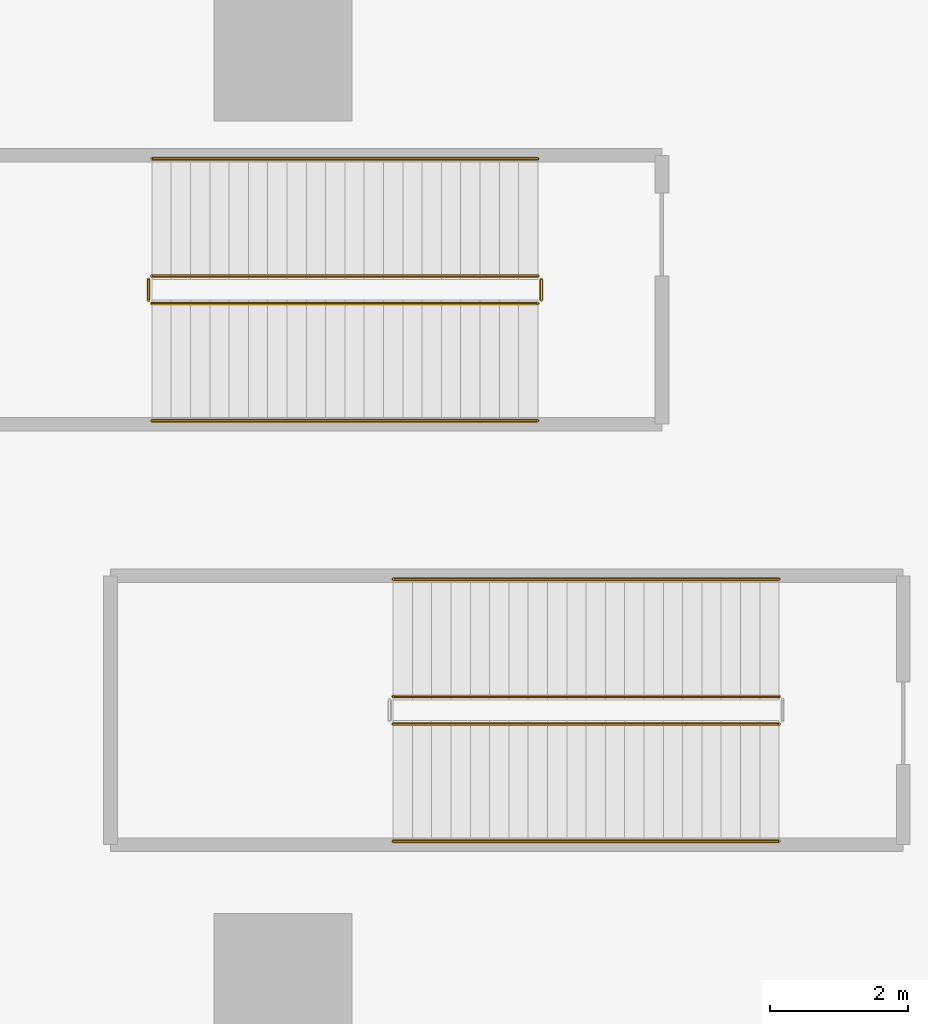
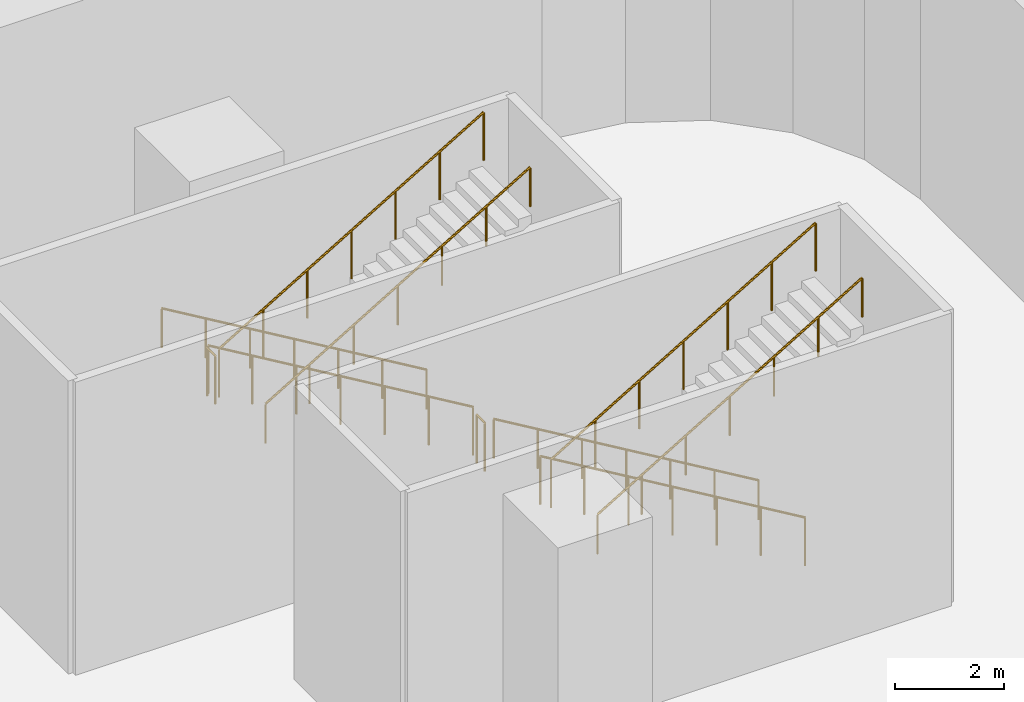
# One storey, part 28 of 30: 10 railings.
"""IFC4 building model written with IfcOpenShell, lengths in metres."""

import ifcopenshell
import ifcopenshell.guid

model = None  # the IFC model being written
_history = None  # IfcOwnerHistory: only IFC2X3 demands one
_inside = {}  # id of a spatial element -> (the spatial element, [elements in it])
_under = {}  # id of a project, library or spatial element -> (it, [spatial elements below it])
_declared = {}  # id of a project -> (the project, [libraries it declares])
_typed = {}  # id of a type object -> (the type object, [elements of that type])
_made_of = {}  # id of a material, layer set ... -> (it, [elements and type objects made of it])


def new_model(schema):
    """Start an empty IFC model of exactly this schema.

    Asked for "IFC4X3", IfcOpenShell would pick the latest addendum, in which some entities
    have other attributes; the version numbers below select the first issue.
    IFC2X3 requires an IfcOwnerHistory on every rooted entity: one is made here for all.
    """
    global model, _history
    if schema == "IFC4X3":
        model = ifcopenshell.file(schema_version=(4, 3, 0, 0))
    else:
        model = ifcopenshell.file(schema=schema)
    _inside.clear()
    _under.clear()
    _declared.clear()
    _typed.clear()
    _made_of.clear()
    _history = None
    if model.schema == "IFC2X3":
        org = make("IfcOrganization", Name="unknown")
        user = make(
            "IfcPersonAndOrganization",
            ThePerson=make("IfcPerson", FamilyName="unknown"),
            TheOrganization=org,
        )
        app = make(
            "IfcApplication",
            ApplicationDeveloper=org,
            Version="unknown",
            ApplicationFullName="unknown",
            ApplicationIdentifier="unknown",
        )
        _history = make(
            "IfcOwnerHistory",
            OwningUser=user,
            OwningApplication=app,
            ChangeAction="ADDED",
            CreationDate=0,
        )
    return model


def make(cls, **values):
    """One entity of the class cls with the attributes given. An attribute that is None is left unset."""
    return model.create_entity(
        cls, **{name: value for name, value in values.items() if value is not None}
    )


def rooted(cls, **values):
    """An entity with a GlobalId (a new one), such as an element, a storey or a relation."""
    return make(cls, GlobalId=ifcopenshell.guid.new(), OwnerHistory=_history, **values)


def si_unit(unit_type, name, prefix=None):
    """IfcSIUnit, for example si_unit("LENGTHUNIT", "METRE", prefix="MILLI")."""
    return make("IfcSIUnit", UnitType=unit_type, Prefix=prefix, Name=name)


def assignment(units):
    """IfcUnitAssignment: the units of a project."""
    return None if units is None else make("IfcUnitAssignment", Units=units)


def point(xyz):
    """IfcCartesianPoint."""
    return None if xyz is None else make("IfcCartesianPoint", Coordinates=xyz)


def direction(xyz):
    """IfcDirection."""
    return None if xyz is None else make("IfcDirection", DirectionRatios=xyz)


def frame(location, z_axis=None, x_axis=None):
    """IfcAxis2Placement3D, a coordinate frame: its origin and axes. An axis left out is left unset."""
    return make(
        "IfcAxis2Placement3D",
        Location=point(location),
        Axis=direction(z_axis),
        RefDirection=direction(x_axis),
    )


def frame_2d(location, x_axis=None):
    """IfcAxis2Placement2D, a coordinate frame in the plane: its origin and x axis."""
    return make(
        "IfcAxis2Placement2D", Location=point(location), RefDirection=direction(x_axis)
    )


def origin():
    """The frame at (0, 0, 0) with its axes left unset."""
    return frame((0.0, 0.0, 0.0))


def origin_2d():
    """The frame at (0, 0) in the plane with its x axis left unset."""
    return frame_2d((0.0, 0.0))


def place(relative_to, where):
    """IfcLocalPlacement: puts the frame where relative to a parent placement (None: the world)."""
    return make(
        "IfcLocalPlacement", PlacementRelTo=relative_to, RelativePlacement=where
    )


def context(
    kind, dimensions, precision=None, world=None, true_north=None, identifier=None
):
    """IfcGeometricRepresentationContext, for example the 3D "Model" context."""
    return make(
        "IfcGeometricRepresentationContext",
        ContextIdentifier=identifier,
        ContextType=kind,
        CoordinateSpaceDimension=dimensions,
        Precision=precision,
        WorldCoordinateSystem=world,
        TrueNorth=true_north,
    )


def subcontext(parent, identifier, kind, view, scale=None):
    """IfcGeometricRepresentationSubContext, for example "Body" below "Model"."""
    return make(
        "IfcGeometricRepresentationSubContext",
        ContextIdentifier=identifier,
        ContextType=kind,
        ParentContext=parent,
        TargetScale=scale,
        TargetView=view,
    )


def project(units=None, contexts=None):
    """IfcProject with its units and contexts."""
    return rooted(
        "IfcProject",
        Name="project",
        RepresentationContexts=contexts,
        UnitsInContext=assignment(units),
    )


def spatial(cls, under=None, at=None, **own):
    """A site, building, storey or space (cls), placed at a placement, below another one or the project."""
    s = rooted(cls, ObjectPlacement=at, **own)
    if under is not None:
        _under.setdefault(under.id(), (under, []))[1].append(s)
    return s


def profile(cls, at=None, kind="AREA", **sizes):
    """A parametric profile (cls). Its sizes go by their IFC names, for example OverallWidth=200.0."""
    return make(cls, ProfileType=kind, Position=at, **sizes)


def circle(**sizes):
    """IfcCircleProfileDef."""
    return profile("IfcCircleProfileDef", **sizes)


def extrude(swept, where, along, depth):
    """IfcExtrudedAreaSolid: the profile swept, set in the frame where, extruded along a direction by depth."""
    return make(
        "IfcExtrudedAreaSolid",
        SweptArea=swept,
        Position=where,
        ExtrudedDirection=direction(along),
        Depth=depth,
    )


def shape(context_of_items, identifier, shape_type, items):
    """IfcShapeRepresentation: the items that make up one representation, for example the "Body"."""
    return make(
        "IfcShapeRepresentation",
        ContextOfItems=context_of_items,
        RepresentationIdentifier=identifier,
        RepresentationType=shape_type,
        Items=items,
    )


def material(Name=None, Category=None):
    """IfcMaterial."""
    return make("IfcMaterial", Name=Name, Category=Category)


def made_of(thing, what):
    """Note that an element or type object is made of a material, layer set ...; save() writes the relation."""
    if what is not None:
        _made_of.setdefault(what.id(), (what, []))[1].append(thing)
    return thing


def type_object(cls, material=None, **own):
    """A type object (cls), such as IfcWallType, which elements share."""
    return made_of(rooted(cls, **own), material)


def element(
    cls,
    number,
    at=None,
    inside=None,
    cuts=None,
    type_object=None,
    material=None,
    context=None,
    identifier="Body",
    shape_type=None,
    held_by="IfcProductDefinitionShape",
    body=None,
    shapes=None,
    **own,
):
    """One element of the class cls, such as IfcWall. Its Tag is "e" and its number.

    at: its placement. inside: the storey or other place that contains it. cuts: it is an
    opening in that element (IfcRelVoidsElement). A single representation is given by context,
    identifier, shape_type and body (its items); several are given by shapes. held_by: the class
    of the entity that holds the representations. save() writes the other relations.
    """
    e = rooted(cls, Tag="e%d" % number, ObjectPlacement=at, **own)
    if body is not None:
        shapes = [shape(context, identifier, shape_type, body)]
    if shapes is not None:
        e.Representation = make(held_by, Representations=shapes)
    if inside is not None:
        _inside.setdefault(inside.id(), (inside, []))[1].append(e)
    if cuts is not None:
        rooted(
            "IfcRelVoidsElement", RelatingBuildingElement=cuts, RelatedOpeningElement=e
        )
    if type_object is not None:
        _typed.setdefault(type_object.id(), (type_object, []))[1].append(e)
    return made_of(e, material)


def aggregate(whole, parts):
    """IfcRelAggregates: a whole, such as a stair, and the parts it consists of."""
    return rooted("IfcRelAggregates", RelatingObject=whole, RelatedObjects=parts)


def save(model, path):
    """Write the relations noted so far, then the file.

    IfcRelAggregates (storeys below a building ...), IfcRelContainedInSpatialStructure (elements
    in a storey), IfcRelDefinesByType, IfcRelAssociatesMaterial and IfcRelDeclares: one each for
    every whole, place, type object, material and project.
    """
    for whole, parts in _under.values():
        aggregate(whole, parts)
    for where, things in _inside.values():
        rooted(
            "IfcRelContainedInSpatialStructure",
            RelatedElements=things,
            RelatingStructure=where,
        )
    for kind, things in _typed.values():
        rooted("IfcRelDefinesByType", RelatedObjects=things, RelatingType=kind)
    for what, things in _made_of.values():
        rooted("IfcRelAssociatesMaterial", RelatedObjects=things, RelatingMaterial=what)
    for by, libraries in _declared.values():
        rooted("IfcRelDeclares", RelatingContext=by, RelatedDefinitions=libraries)
    model.write(path)


model = new_model("IFC4")

# Units and contexts
model_context = context("Model", 3, precision=1e-05, world=origin(), true_north=direction((0.0, 1.0)))
body_context = subcontext(model_context, "Body", "Model", "MODEL_VIEW")
ifc_project = project(units=[si_unit("LENGTHUNIT", "METRE"), si_unit("AREAUNIT", "SQUARE_METRE"), si_unit("VOLUMEUNIT", "CUBIC_METRE"), si_unit("PLANEANGLEUNIT", "RADIAN"), si_unit("MASSUNIT", "GRAM", prefix="KILO")], contexts=[model_context])

# Site, building, storey
site_placement = place(None, origin())
site = spatial("IfcSite", under=ifc_project, at=site_placement, CompositionType="ELEMENT")
building_placement = place(site_placement, origin())
building = spatial("IfcBuilding", under=site, at=building_placement, Name="Tamarind Cross Interchange Tower", CompositionType="ELEMENT")
storey_placement = place(building_placement, frame((0.0, 0.0, -14.0)))
storey = spatial("IfcBuildingStorey", under=building, at=storey_placement, Name="B2", CompositionType="ELEMENT", Elevation=-14.0)

# Railings
ifc_material_1 = material(Name="Public stair guard")
railing_type_1 = type_object("IfcRailingType", Name="Public stair guard", PredefinedType="GUARDRAIL", material=ifc_material_1)
railing_1_placement = place(storey_placement, frame((57.699951171875, 50.75, 0.166748046875)))
element("IfcRailing", 1, at=railing_1_placement, inside=storey, type_object=railing_type_1, Name="B2 XS-P01 stair guard 1", PredefinedType="GUARDRAIL", context=body_context, shape_type="SweptSolid", body=[
    extrude(circle(Radius=0.02392578125, at=origin_2d()), frame((0.0, 0.0, 1.076171875), z_axis=(-0.859292492371, 0.0, 0.511484518392), x_axis=(0.0, -1.0, 0.0)), (0.0, 0.0, 1.0), 6.516845703125),
    extrude(circle(Radius=0.02099609375, at=origin_2d()), origin(), (0.0, 0.0, 1.0), 1.052001953125),
    extrude(circle(Radius=0.02099609375, at=origin_2d()), frame((-0.933349609375, 0.0, 0.5556640625)), (0.0, 0.0, 1.0), 1.052001953125),
    extrude(circle(Radius=0.02099609375, at=origin_2d()), frame((-1.86669921875, 0.0, 1.111083984375)), (0.0, 0.0, 1.0), 1.052001953125),
    extrude(circle(Radius=0.02099609375, at=origin_2d()), frame((-2.7998046875, 0.0, 1.66650390625)), (0.0, 0.0, 1.0), 1.052001953125),
    extrude(circle(Radius=0.02099609375, at=origin_2d()), frame((-3.733154296875, 0.0, 2.22216796875)), (0.0, 0.0, 1.0), 1.052001953125),
    extrude(circle(Radius=0.02099609375, at=origin_2d()), frame((-4.66650390625, 0.0, 2.77783203125)), (0.0, 0.0, 1.0), 1.052001953125),
    extrude(circle(Radius=0.02099609375, at=origin_2d()), frame((-5.599853515625, 0.0, 3.333251953125)), (0.0, 0.0, 1.0), 1.052001953125),
])
railing_2_placement = place(storey_placement, frame((52.050048828125, 50.699951171875, 3.5)))
element("IfcRailing", 2, at=railing_2_placement, inside=storey, type_object=railing_type_1, Name="B2 XS-P01 stair guard 2", PredefinedType="GUARDRAIL", context=body_context, shape_type="SweptSolid", body=[
    extrude(circle(Radius=0.02392578125, at=origin_2d()), frame((0.0, 0.0, 1.076171875), z_axis=(0.0, -1.0, 0.0), x_axis=(1.0, 0.0, 0.0)), (0.0, 0.0, 1.0), 0.300048828125),
    extrude(circle(Radius=0.02099609375, at=origin_2d()), origin(), (0.0, 0.0, 1.0), 1.052001953125),
    extrude(circle(Radius=0.02099609375, at=origin_2d()), frame((0.0, -0.300048828125, 0.0)), (0.0, 0.0, 1.0), 1.052001953125),
])
railing_3_placement = place(storey_placement, frame((52.10009765625, 50.35009765625, 3.666748046875)))
element("IfcRailing", 3, at=railing_3_placement, inside=storey, type_object=railing_type_1, Name="B2 XS-P01 stair guard 3", PredefinedType="GUARDRAIL", context=body_context, shape_type="SweptSolid", body=[
    extrude(circle(Radius=0.02392578125, at=origin_2d()), frame((0.0, 0.0, 1.076171875), z_axis=(0.859292492371, 0.0, 0.511484518392), x_axis=(0.0, 1.0, 0.0)), (0.0, 0.0, 1.0), 6.516845703125),
    extrude(circle(Radius=0.02099609375, at=origin_2d()), origin(), (0.0, 0.0, 1.0), 1.052001953125),
    extrude(circle(Radius=0.02099609375, at=origin_2d()), frame((0.933349609375, 0.0, 0.5556640625)), (0.0, 0.0, 1.0), 1.052001953125),
    extrude(circle(Radius=0.02099609375, at=origin_2d()), frame((1.86669921875, 0.0, 1.111083984375)), (0.0, 0.0, 1.0), 1.052001953125),
    extrude(circle(Radius=0.02099609375, at=origin_2d()), frame((2.7998046875, 0.0, 1.66650390625)), (0.0, 0.0, 1.0), 1.052001953125),
    extrude(circle(Radius=0.02099609375, at=origin_2d()), frame((3.733154296875, 0.0, 2.22216796875)), (0.0, 0.0, 1.0), 1.052001953125),
    extrude(circle(Radius=0.02099609375, at=origin_2d()), frame((4.66650390625, 0.0, 2.77783203125)), (0.0, 0.0, 1.0), 1.052001953125),
    extrude(circle(Radius=0.02099609375, at=origin_2d()), frame((5.599853515625, 0.0, 3.333251953125)), (0.0, 0.0, 1.0), 1.052001953125),
])
railing_4_placement = place(storey_placement, frame((57.75, 50.699951171875, 0.0)))
element("IfcRailing", 4, at=railing_4_placement, inside=storey, type_object=railing_type_1, Name="B2 XS-P01 stair guard 4", PredefinedType="GUARDRAIL", context=body_context, shape_type="SweptSolid", body=[
    extrude(circle(Radius=0.02392578125, at=origin_2d()), frame((0.0, 0.0, 1.076171875), z_axis=(0.0, -1.0, 0.0), x_axis=(1.0, 0.0, 0.0)), (0.0, 0.0, 1.0), 0.300048828125),
    extrude(circle(Radius=0.02099609375, at=origin_2d()), origin(), (0.0, 0.0, 1.0), 1.052001953125),
    extrude(circle(Radius=0.02099609375, at=origin_2d()), frame((0.0, -0.300048828125, 0.0)), (0.0, 0.0, 1.0), 1.052001953125),
])
railing_5_placement = place(storey_placement, frame((61.199951171875, 44.64990234375, 0.166748046875)))
element("IfcRailing", 5, at=railing_5_placement, inside=storey, type_object=railing_type_1, Name="B2 XS-P02 stair guard 1", PredefinedType="GUARDRAIL", context=body_context, shape_type="SweptSolid", body=[
    extrude(circle(Radius=0.02392578125, at=origin_2d()), frame((0.0, 0.0, 1.076171875), z_axis=(-0.859292492371, 0.0, 0.511484518392), x_axis=(0.0, -1.0, 0.0)), (0.0, 0.0, 1.0), 6.516845703125),
    extrude(circle(Radius=0.02099609375, at=origin_2d()), origin(), (0.0, 0.0, 1.0), 1.052001953125),
    extrude(circle(Radius=0.02099609375, at=origin_2d()), frame((-0.933349609375, 0.0, 0.5556640625)), (0.0, 0.0, 1.0), 1.052001953125),
    extrude(circle(Radius=0.02099609375, at=origin_2d()), frame((-1.86669921875, 0.0, 1.111083984375)), (0.0, 0.0, 1.0), 1.052001953125),
    extrude(circle(Radius=0.02099609375, at=origin_2d()), frame((-2.7998046875, 0.0, 1.66650390625)), (0.0, 0.0, 1.0), 1.052001953125),
    extrude(circle(Radius=0.02099609375, at=origin_2d()), frame((-3.733154296875, 0.0, 2.22216796875)), (0.0, 0.0, 1.0), 1.052001953125),
    extrude(circle(Radius=0.02099609375, at=origin_2d()), frame((-4.66650390625, 0.0, 2.77783203125)), (0.0, 0.0, 1.0), 1.052001953125),
    extrude(circle(Radius=0.02099609375, at=origin_2d()), frame((-5.599853515625, 0.0, 3.333251953125)), (0.0, 0.0, 1.0), 1.052001953125),
])
railing_6_placement = place(storey_placement, frame((55.60009765625, 44.25, 3.666748046875)))
element("IfcRailing", 6, at=railing_6_placement, inside=storey, type_object=railing_type_1, Name="B2 XS-P02 stair guard 3", PredefinedType="GUARDRAIL", context=body_context, shape_type="SweptSolid", body=[
    extrude(circle(Radius=0.02392578125, at=origin_2d()), frame((0.0, 0.0, 1.076171875), z_axis=(0.859292492371, 0.0, 0.511484518392), x_axis=(0.0, 1.0, 0.0)), (0.0, 0.0, 1.0), 6.516845703125),
    extrude(circle(Radius=0.02099609375, at=origin_2d()), origin(), (0.0, 0.0, 1.0), 1.052001953125),
    extrude(circle(Radius=0.02099609375, at=origin_2d()), frame((0.933349609375, 0.0, 0.5556640625)), (0.0, 0.0, 1.0), 1.052001953125),
    extrude(circle(Radius=0.02099609375, at=origin_2d()), frame((1.86669921875, 0.0, 1.111083984375)), (0.0, 0.0, 1.0), 1.052001953125),
    extrude(circle(Radius=0.02099609375, at=origin_2d()), frame((2.7998046875, 0.0, 1.66650390625)), (0.0, 0.0, 1.0), 1.052001953125),
    extrude(circle(Radius=0.02099609375, at=origin_2d()), frame((3.733154296875, 0.0, 2.22216796875)), (0.0, 0.0, 1.0), 1.052001953125),
    extrude(circle(Radius=0.02099609375, at=origin_2d()), frame((4.66650390625, 0.0, 2.77783203125)), (0.0, 0.0, 1.0), 1.052001953125),
    extrude(circle(Radius=0.02099609375, at=origin_2d()), frame((5.599853515625, 0.0, 3.333251953125)), (0.0, 0.0, 1.0), 1.052001953125),
])
ifc_material_2 = material(Name="Public stair handrail")
railing_type_2 = type_object("IfcRailingType", Name="Public stair handrail", PredefinedType="HANDRAIL", material=ifc_material_2)
railing_7_placement = place(storey_placement, frame((57.699951171875, 52.449951171875, 0.166748046875)))
element("IfcRailing", 7, at=railing_7_placement, inside=storey, type_object=railing_type_2, Name="B2 XS-P01 stair handrail 1", PredefinedType="HANDRAIL", context=body_context, shape_type="SweptSolid", body=[
    extrude(circle(Radius=0.02392578125, at=origin_2d()), frame((0.0, 0.0, 0.8759765625), z_axis=(-0.859292492371, 0.0, 0.511484518392), x_axis=(0.0, -1.0, 0.0)), (0.0, 0.0, 1.0), 6.516845703125),
    extrude(circle(Radius=0.02099609375, at=origin_2d()), origin(), (0.0, 0.0, 1.0), 0.851806640625),
    extrude(circle(Radius=0.02099609375, at=origin_2d()), frame((-0.933349609375, 0.0, 0.5556640625)), (0.0, 0.0, 1.0), 0.851806640625),
    extrude(circle(Radius=0.02099609375, at=origin_2d()), frame((-1.86669921875, 0.0, 1.111083984375)), (0.0, 0.0, 1.0), 0.851806640625),
    extrude(circle(Radius=0.02099609375, at=origin_2d()), frame((-2.7998046875, 0.0, 1.66650390625)), (0.0, 0.0, 1.0), 0.851806640625),
    extrude(circle(Radius=0.02099609375, at=origin_2d()), frame((-3.733154296875, 0.0, 2.22216796875)), (0.0, 0.0, 1.0), 0.851806640625),
    extrude(circle(Radius=0.02099609375, at=origin_2d()), frame((-4.66650390625, 0.0, 2.77783203125)), (0.0, 0.0, 1.0), 0.851806640625),
    extrude(circle(Radius=0.02099609375, at=origin_2d()), frame((-5.599853515625, 0.0, 3.333251953125)), (0.0, 0.0, 1.0), 0.851806640625),
])
railing_8_placement = place(storey_placement, frame((52.10009765625, 48.64990234375, 3.666748046875)))
element("IfcRailing", 8, at=railing_8_placement, inside=storey, type_object=railing_type_2, Name="B2 XS-P01 stair handrail 2", PredefinedType="HANDRAIL", context=body_context, shape_type="SweptSolid", body=[
    extrude(circle(Radius=0.02392578125, at=origin_2d()), frame((0.0, 0.0, 0.8759765625), z_axis=(0.859292492371, 0.0, 0.511484518392), x_axis=(0.0, 1.0, 0.0)), (0.0, 0.0, 1.0), 6.516845703125),
    extrude(circle(Radius=0.02099609375, at=origin_2d()), origin(), (0.0, 0.0, 1.0), 0.851806640625),
    extrude(circle(Radius=0.02099609375, at=origin_2d()), frame((0.933349609375, 0.0, 0.5556640625)), (0.0, 0.0, 1.0), 0.851806640625),
    extrude(circle(Radius=0.02099609375, at=origin_2d()), frame((1.86669921875, 0.0, 1.111083984375)), (0.0, 0.0, 1.0), 0.851806640625),
    extrude(circle(Radius=0.02099609375, at=origin_2d()), frame((2.7998046875, 0.0, 1.66650390625)), (0.0, 0.0, 1.0), 0.851806640625),
    extrude(circle(Radius=0.02099609375, at=origin_2d()), frame((3.733154296875, 0.0, 2.22216796875)), (0.0, 0.0, 1.0), 0.851806640625),
    extrude(circle(Radius=0.02099609375, at=origin_2d()), frame((4.66650390625, 0.0, 2.77783203125)), (0.0, 0.0, 1.0), 0.851806640625),
    extrude(circle(Radius=0.02099609375, at=origin_2d()), frame((5.599853515625, 0.0, 3.333251953125)), (0.0, 0.0, 1.0), 0.851806640625),
])
railing_9_placement = place(storey_placement, frame((61.199951171875, 46.35009765625, 0.166748046875)))
element("IfcRailing", 9, at=railing_9_placement, inside=storey, type_object=railing_type_2, Name="B2 XS-P02 stair handrail 1", PredefinedType="HANDRAIL", context=body_context, shape_type="SweptSolid", body=[
    extrude(circle(Radius=0.02392578125, at=origin_2d()), frame((0.0, 0.0, 0.8759765625), z_axis=(-0.859292492371, 0.0, 0.511484518392), x_axis=(0.0, -1.0, 0.0)), (0.0, 0.0, 1.0), 6.516845703125),
    extrude(circle(Radius=0.02099609375, at=origin_2d()), origin(), (0.0, 0.0, 1.0), 0.851806640625),
    extrude(circle(Radius=0.02099609375, at=origin_2d()), frame((-0.933349609375, 0.0, 0.5556640625)), (0.0, 0.0, 1.0), 0.851806640625),
    extrude(circle(Radius=0.02099609375, at=origin_2d()), frame((-1.86669921875, 0.0, 1.111083984375)), (0.0, 0.0, 1.0), 0.851806640625),
    extrude(circle(Radius=0.02099609375, at=origin_2d()), frame((-2.7998046875, 0.0, 1.66650390625)), (0.0, 0.0, 1.0), 0.851806640625),
    extrude(circle(Radius=0.02099609375, at=origin_2d()), frame((-3.733154296875, 0.0, 2.22216796875)), (0.0, 0.0, 1.0), 0.851806640625),
    extrude(circle(Radius=0.02099609375, at=origin_2d()), frame((-4.66650390625, 0.0, 2.77783203125)), (0.0, 0.0, 1.0), 0.851806640625),
    extrude(circle(Radius=0.02099609375, at=origin_2d()), frame((-5.599853515625, 0.0, 3.333251953125)), (0.0, 0.0, 1.0), 0.851806640625),
])
railing_10_placement = place(storey_placement, frame((55.60009765625, 42.550048828125, 3.666748046875)))
element("IfcRailing", 10, at=railing_10_placement, inside=storey, type_object=railing_type_2, Name="B2 XS-P02 stair handrail 2", PredefinedType="HANDRAIL", context=body_context, shape_type="SweptSolid", body=[
    extrude(circle(Radius=0.02392578125, at=origin_2d()), frame((0.0, 0.0, 0.8759765625), z_axis=(0.859292492371, 0.0, 0.511484518392), x_axis=(0.0, 1.0, 0.0)), (0.0, 0.0, 1.0), 6.516845703125),
    extrude(circle(Radius=0.02099609375, at=origin_2d()), origin(), (0.0, 0.0, 1.0), 0.851806640625),
    extrude(circle(Radius=0.02099609375, at=origin_2d()), frame((0.933349609375, 0.0, 0.5556640625)), (0.0, 0.0, 1.0), 0.851806640625),
    extrude(circle(Radius=0.02099609375, at=origin_2d()), frame((1.86669921875, 0.0, 1.111083984375)), (0.0, 0.0, 1.0), 0.851806640625),
    extrude(circle(Radius=0.02099609375, at=origin_2d()), frame((2.7998046875, 0.0, 1.66650390625)), (0.0, 0.0, 1.0), 0.851806640625),
    extrude(circle(Radius=0.02099609375, at=origin_2d()), frame((3.733154296875, 0.0, 2.22216796875)), (0.0, 0.0, 1.0), 0.851806640625),
    extrude(circle(Radius=0.02099609375, at=origin_2d()), frame((4.66650390625, 0.0, 2.77783203125)), (0.0, 0.0, 1.0), 0.851806640625),
    extrude(circle(Radius=0.02099609375, at=origin_2d()), frame((5.599853515625, 0.0, 3.333251953125)), (0.0, 0.0, 1.0), 0.851806640625),
])

save(model, "model.ifc")
